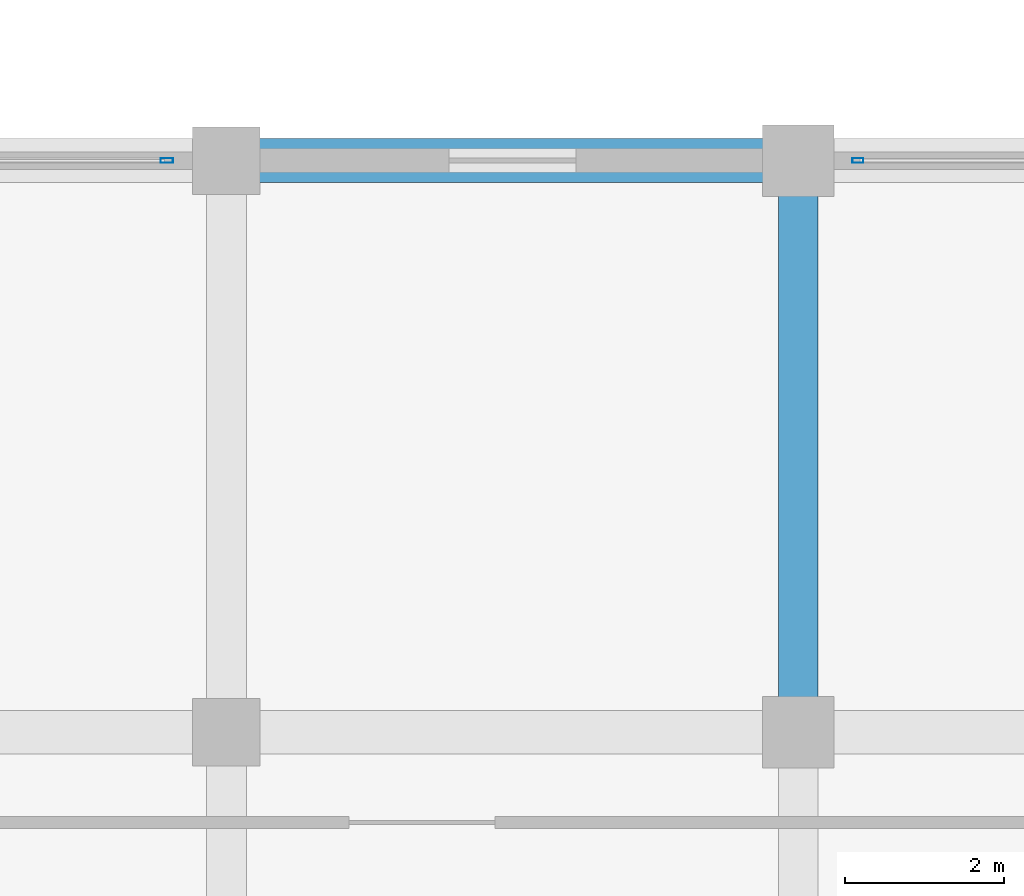
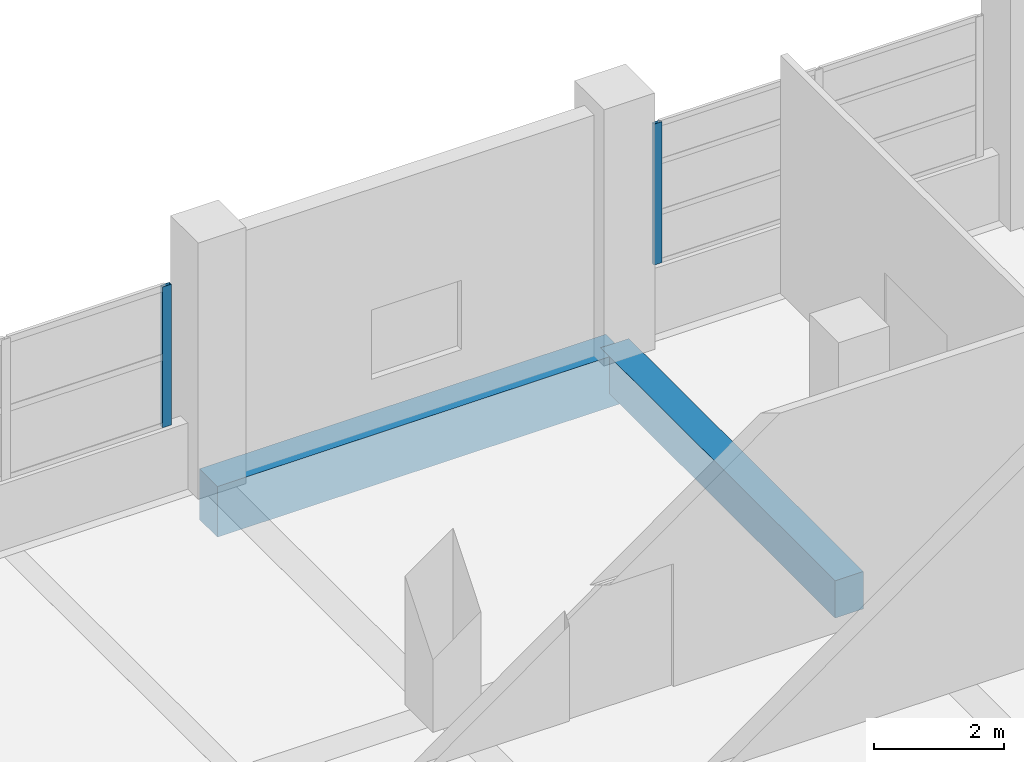
# One storey, part 13 of 181: 2 beams, 2 members, 2 elements without a shape of their own.
"""IFC4 building model written with IfcOpenShell, lengths in metres."""

import ifcopenshell
import ifcopenshell.guid

model = None  # the IFC model being written
_history = None  # IfcOwnerHistory: only IFC2X3 demands one
_inside = {}  # id of a spatial element -> (the spatial element, [elements in it])
_under = {}  # id of a project, library or spatial element -> (it, [spatial elements below it])
_declared = {}  # id of a project -> (the project, [libraries it declares])
_typed = {}  # id of a type object -> (the type object, [elements of that type])
_made_of = {}  # id of a material, layer set ... -> (it, [elements and type objects made of it])


def new_model(schema):
    """Start an empty IFC model of exactly this schema.

    Asked for "IFC4X3", IfcOpenShell would pick the latest addendum, in which some entities
    have other attributes; the version numbers below select the first issue.
    IFC2X3 requires an IfcOwnerHistory on every rooted entity: one is made here for all.
    """
    global model, _history
    if schema == "IFC4X3":
        model = ifcopenshell.file(schema_version=(4, 3, 0, 0))
    else:
        model = ifcopenshell.file(schema=schema)
    _inside.clear()
    _under.clear()
    _declared.clear()
    _typed.clear()
    _made_of.clear()
    _history = None
    if model.schema == "IFC2X3":
        org = make("IfcOrganization", Name="unknown")
        user = make(
            "IfcPersonAndOrganization",
            ThePerson=make("IfcPerson", FamilyName="unknown"),
            TheOrganization=org,
        )
        app = make(
            "IfcApplication",
            ApplicationDeveloper=org,
            Version="unknown",
            ApplicationFullName="unknown",
            ApplicationIdentifier="unknown",
        )
        _history = make(
            "IfcOwnerHistory",
            OwningUser=user,
            OwningApplication=app,
            ChangeAction="ADDED",
            CreationDate=0,
        )
    return model


def make(cls, **values):
    """One entity of the class cls with the attributes given. An attribute that is None is left unset."""
    return model.create_entity(
        cls, **{name: value for name, value in values.items() if value is not None}
    )


def rooted(cls, **values):
    """An entity with a GlobalId (a new one), such as an element, a storey or a relation."""
    return make(cls, GlobalId=ifcopenshell.guid.new(), OwnerHistory=_history, **values)


def si_unit(unit_type, name, prefix=None):
    """IfcSIUnit, for example si_unit("LENGTHUNIT", "METRE", prefix="MILLI")."""
    return make("IfcSIUnit", UnitType=unit_type, Prefix=prefix, Name=name)


def assignment(units):
    """IfcUnitAssignment: the units of a project."""
    return None if units is None else make("IfcUnitAssignment", Units=units)


def point(xyz):
    """IfcCartesianPoint."""
    return None if xyz is None else make("IfcCartesianPoint", Coordinates=xyz)


def direction(xyz):
    """IfcDirection."""
    return None if xyz is None else make("IfcDirection", DirectionRatios=xyz)


def frame(location, z_axis=None, x_axis=None):
    """IfcAxis2Placement3D, a coordinate frame: its origin and axes. An axis left out is left unset."""
    return make(
        "IfcAxis2Placement3D",
        Location=point(location),
        Axis=direction(z_axis),
        RefDirection=direction(x_axis),
    )


def frame_2d(location, x_axis=None):
    """IfcAxis2Placement2D, a coordinate frame in the plane: its origin and x axis."""
    return make(
        "IfcAxis2Placement2D", Location=point(location), RefDirection=direction(x_axis)
    )


def origin():
    """The frame at (0, 0, 0) with its axes left unset."""
    return frame((0.0, 0.0, 0.0))


def origin_2d():
    """The frame at (0, 0) in the plane with its x axis left unset."""
    return frame_2d((0.0, 0.0))


def place(relative_to, where):
    """IfcLocalPlacement: puts the frame where relative to a parent placement (None: the world)."""
    return make(
        "IfcLocalPlacement", PlacementRelTo=relative_to, RelativePlacement=where
    )


def context(
    kind, dimensions, precision=None, world=None, true_north=None, identifier=None
):
    """IfcGeometricRepresentationContext, for example the 3D "Model" context."""
    return make(
        "IfcGeometricRepresentationContext",
        ContextIdentifier=identifier,
        ContextType=kind,
        CoordinateSpaceDimension=dimensions,
        Precision=precision,
        WorldCoordinateSystem=world,
        TrueNorth=true_north,
    )


def subcontext(parent, identifier, kind, view, scale=None):
    """IfcGeometricRepresentationSubContext, for example "Body" below "Model"."""
    return make(
        "IfcGeometricRepresentationSubContext",
        ContextIdentifier=identifier,
        ContextType=kind,
        ParentContext=parent,
        TargetScale=scale,
        TargetView=view,
    )


def project(units=None, contexts=None):
    """IfcProject with its units and contexts."""
    return rooted(
        "IfcProject",
        Name="project",
        RepresentationContexts=contexts,
        UnitsInContext=assignment(units),
    )


def spatial(cls, under=None, at=None, **own):
    """A site, building, storey or space (cls), placed at a placement, below another one or the project."""
    s = rooted(cls, ObjectPlacement=at, **own)
    if under is not None:
        _under.setdefault(under.id(), (under, []))[1].append(s)
    return s


def profile(cls, at=None, kind="AREA", **sizes):
    """A parametric profile (cls). Its sizes go by their IFC names, for example OverallWidth=200.0."""
    return make(cls, ProfileType=kind, Position=at, **sizes)


def rectangle(**sizes):
    """IfcRectangleProfileDef."""
    return profile("IfcRectangleProfileDef", **sizes)


def hollow_rectangle(**sizes):
    """IfcRectangleHollowProfileDef."""
    return profile("IfcRectangleHollowProfileDef", **sizes)


def extrude(swept, where, along, depth):
    """IfcExtrudedAreaSolid: the profile swept, set in the frame where, extruded along a direction by depth."""
    return make(
        "IfcExtrudedAreaSolid",
        SweptArea=swept,
        Position=where,
        ExtrudedDirection=direction(along),
        Depth=depth,
    )


def shape(context_of_items, identifier, shape_type, items):
    """IfcShapeRepresentation: the items that make up one representation, for example the "Body"."""
    return make(
        "IfcShapeRepresentation",
        ContextOfItems=context_of_items,
        RepresentationIdentifier=identifier,
        RepresentationType=shape_type,
        Items=items,
    )


def material(Name=None, Category=None):
    """IfcMaterial."""
    return make("IfcMaterial", Name=Name, Category=Category)


def layer(
    of_material, thickness, ventilated=None, Name=None, Category=None, Priority=None
):
    """IfcMaterialLayer: one layer of a wall or slab, of a material (None: an air gap)."""
    return make(
        "IfcMaterialLayer",
        Material=of_material,
        LayerThickness=thickness,
        IsVentilated=ventilated,
        Name=Name,
        Category=Category,
        Priority=Priority,
    )


def layer_set(layers, Name=None):
    """IfcMaterialLayerSet."""
    return make("IfcMaterialLayerSet", MaterialLayers=layers, LayerSetName=Name)


def material_profile(
    of_material, cross_section, Name=None, Category=None, Priority=None
):
    """IfcMaterialProfile: a cross section and its material."""
    return make(
        "IfcMaterialProfile",
        Name=Name,
        Material=of_material,
        Profile=cross_section,
        Priority=Priority,
        Category=Category,
    )


def profile_set(profiles, Name=None, composite=None):
    """IfcMaterialProfileSet."""
    return make(
        "IfcMaterialProfileSet",
        Name=Name,
        MaterialProfiles=profiles,
        CompositeProfile=composite,
    )


def made_of(thing, what):
    """Note that an element or type object is made of a material, layer set ...; save() writes the relation."""
    if what is not None:
        _made_of.setdefault(what.id(), (what, []))[1].append(thing)
    return thing


def type_object(cls, material=None, **own):
    """A type object (cls), such as IfcWallType, which elements share."""
    return made_of(rooted(cls, **own), material)


def element(
    cls,
    number,
    at=None,
    inside=None,
    cuts=None,
    type_object=None,
    material=None,
    context=None,
    identifier="Body",
    shape_type=None,
    held_by="IfcProductDefinitionShape",
    body=None,
    shapes=None,
    **own,
):
    """One element of the class cls, such as IfcWall. Its Tag is "e" and its number.

    at: its placement. inside: the storey or other place that contains it. cuts: it is an
    opening in that element (IfcRelVoidsElement). A single representation is given by context,
    identifier, shape_type and body (its items); several are given by shapes. held_by: the class
    of the entity that holds the representations. save() writes the other relations.
    """
    e = rooted(cls, Tag="e%d" % number, ObjectPlacement=at, **own)
    if body is not None:
        shapes = [shape(context, identifier, shape_type, body)]
    if shapes is not None:
        e.Representation = make(held_by, Representations=shapes)
    if inside is not None:
        _inside.setdefault(inside.id(), (inside, []))[1].append(e)
    if cuts is not None:
        rooted(
            "IfcRelVoidsElement", RelatingBuildingElement=cuts, RelatedOpeningElement=e
        )
    if type_object is not None:
        _typed.setdefault(type_object.id(), (type_object, []))[1].append(e)
    return made_of(e, material)


def aggregate(whole, parts):
    """IfcRelAggregates: a whole, such as a stair, and the parts it consists of."""
    return rooted("IfcRelAggregates", RelatingObject=whole, RelatedObjects=parts)


def save(model, path):
    """Write the relations noted so far, then the file.

    IfcRelAggregates (storeys below a building ...), IfcRelContainedInSpatialStructure (elements
    in a storey), IfcRelDefinesByType, IfcRelAssociatesMaterial and IfcRelDeclares: one each for
    every whole, place, type object, material and project.
    """
    for whole, parts in _under.values():
        aggregate(whole, parts)
    for where, things in _inside.values():
        rooted(
            "IfcRelContainedInSpatialStructure",
            RelatedElements=things,
            RelatingStructure=where,
        )
    for kind, things in _typed.values():
        rooted("IfcRelDefinesByType", RelatedObjects=things, RelatingType=kind)
    for what, things in _made_of.values():
        rooted("IfcRelAssociatesMaterial", RelatedObjects=things, RelatingMaterial=what)
    for by, libraries in _declared.values():
        rooted("IfcRelDeclares", RelatingContext=by, RelatedDefinitions=libraries)
    model.write(path)


model = new_model("IFC4")

# Units and contexts
model_context = context("Model", 3, precision=1e-05, world=origin(), true_north=direction((0.0, 1.0)))
body_context = subcontext(model_context, "Body", "Model", "MODEL_VIEW")
ifc_project = project(units=[si_unit("LENGTHUNIT", "METRE"), si_unit("AREAUNIT", "SQUARE_METRE"), si_unit("VOLUMEUNIT", "CUBIC_METRE"), si_unit("PLANEANGLEUNIT", "RADIAN"), si_unit("MASSUNIT", "GRAM", prefix="KILO")], contexts=[model_context])

# Site, building, storey
site_placement = place(None, origin())
site = spatial("IfcSite", under=ifc_project, at=site_placement, CompositionType="ELEMENT")
building_placement = place(site_placement, origin())
building = spatial("IfcBuilding", under=site, at=building_placement, Name="Seraya Terrace Polytechnic", CompositionType="ELEMENT")
storey_placement = place(building_placement, frame((0.0, 0.0, 4.800048828125)))
storey = spatial("IfcBuildingStorey", under=building, at=storey_placement, Name="L01", CompositionType="ELEMENT", Elevation=4.800048828125)

# Beams
ifc_material_1 = material(Name="Concrete C40/50", Category="concrete")
ifc_material_profile_1 = material_profile(ifc_material_1, rectangle(XDim=0.550048828125, YDim=0.949951171875, at=origin_2d()), Name="RC 550x950")
ifc_profile_set_1 = profile_set([ifc_material_profile_1], Name="Concrete C40/50")
beam_type_1 = type_object("IfcBeamType", Name="BM-03", PredefinedType="BEAM", material=ifc_profile_set_1)
beam_1_placement = place(storey_placement, frame((50.39990234375, 28.800048828125, -0.47509765625), z_axis=(1.0, 0.0, 0.0), x_axis=(0.0, 1.0, 0.0)))
element("IfcBeam", 1, at=beam_1_placement, inside=storey, type_object=beam_type_1, Name="Beam BM-03 L01 X (50.4..57.6, 28.8)", PredefinedType="BEAM", context=body_context, shape_type="SweptSolid", body=[
    extrude(rectangle(XDim=0.550048828125, YDim=0.949951171875, at=origin_2d()), origin(), (0.0, 0.0, 1.0), 7.2001953125),
])
ifc_material_profile_2 = material_profile(ifc_material_1, rectangle(XDim=0.5, YDim=0.699951171875, at=origin_2d()), Name="RC 500x700")
ifc_profile_set_2 = profile_set([ifc_material_profile_2], Name="Concrete C40/50")
beam_type_2 = type_object("IfcBeamType", Name="BM-07", PredefinedType="BEAM", material=ifc_profile_set_2)
beam_2_placement = place(storey_placement, frame((57.60009765625, 21.60009765625, -0.35009765625), z_axis=(0.0, 1.0, 0.0), x_axis=(-1.0, 0.0, 0.0)))
element("IfcBeam", 2, at=beam_2_placement, inside=storey, type_object=beam_type_2, Name="Beam BM-07 L01 Y (57.6, 21.6..28.8)", PredefinedType="BEAM", context=body_context, shape_type="SweptSolid", body=[
    extrude(rectangle(XDim=0.5, YDim=0.699951171875, at=origin_2d()), origin(), (0.0, 0.0, 1.0), 7.199951171875),
])

# Curtain wall, member
ifc_material_2 = material(Name="Anodised aluminium EN AW-6063 T6", Category="aluminium")
ifc_layer_1 = layer(ifc_material_2, 0.179931640625, Name="CW-02")
ifc_layer_set_1 = layer_set([ifc_layer_1], Name="Anodised aluminium EN AW-6063 T6")
curtain_wall_type_1 = type_object("IfcCurtainWallType", Name="CW-02", PredefinedType="NOTDEFINED", material=ifc_layer_set_1)
curtain_wall_1_placement = place(storey_placement, origin())
curtain_wall_1 = element("IfcCurtainWall", 3, at=curtain_wall_1_placement, inside=storey, type_object=curtain_wall_type_1, Name="Unitised curtain wall CW-02 (CW-L01-038)", PredefinedType="NOTDEFINED")
ifc_material_profile_3 = material_profile(ifc_material_2, hollow_rectangle(XDim=0.06005859375, YDim=0.159912109375, WallThickness=0.00341796875, at=origin_2d()), Name="RHS 160x60x3.5")
ifc_profile_set_3 = profile_set([ifc_material_profile_3], Name="Anodised aluminium EN AW-6063 T6")
member_type_1 = type_object("IfcMemberType", Name="CWM-02", PredefinedType="MULLION", material=ifc_profile_set_3)
member_1_placement = place(storey_placement, frame((49.64990234375, 28.800048828125, 1.239990234375), z_axis=(0.0, 0.0, 1.0), x_axis=(0.0, 1.0, 0.0)))
member_1 = element("IfcMember", 4, at=member_1_placement, type_object=member_type_1, Name="CW-02 mullion 3", PredefinedType="MULLION", context=body_context, shape_type="SweptSolid", body=[
    extrude(hollow_rectangle(XDim=0.06005859375, YDim=0.159912109375, WallThickness=0.00341796875, at=origin_2d()), origin(), (0.0, 0.0, 1.0), 2.639892578125),
])
aggregate(curtain_wall_1, [member_1])

ifc_layer_2 = layer(ifc_material_2, 0.179931640625, Name="CW-03")
ifc_layer_set_2 = layer_set([ifc_layer_2], Name="Anodised aluminium EN AW-6063 T6")
curtain_wall_type_2 = type_object("IfcCurtainWallType", Name="CW-03", PredefinedType="NOTDEFINED", material=ifc_layer_set_2)
curtain_wall_2_placement = place(storey_placement, origin())
curtain_wall_2 = element("IfcCurtainWall", 5, at=curtain_wall_2_placement, inside=storey, type_object=curtain_wall_type_2, Name="Unitised curtain wall CW-03 (CW-L01-039)", PredefinedType="NOTDEFINED")
ifc_material_profile_4 = material_profile(ifc_material_2, hollow_rectangle(XDim=0.06005859375, YDim=0.139892578125, WallThickness=0.00341796875, at=origin_2d()), Name="RHS 140x60x3.5")
ifc_profile_set_4 = profile_set([ifc_material_profile_4], Name="Anodised aluminium EN AW-6063 T6")
member_type_2 = type_object("IfcMemberType", Name="CWM-03", PredefinedType="MULLION", material=ifc_profile_set_4)
member_2_placement = place(storey_placement, frame((58.35009765625, 28.800048828125, 1.239990234375), z_axis=(0.0, 0.0, 1.0), x_axis=(0.0, 1.0, 0.0)))
member_2 = element("IfcMember", 6, at=member_2_placement, type_object=member_type_2, Name="CW-03 mullion 1", PredefinedType="MULLION", context=body_context, shape_type="SweptSolid", body=[
    extrude(hollow_rectangle(XDim=0.06005859375, YDim=0.139892578125, WallThickness=0.00341796875, at=origin_2d()), origin(), (0.0, 0.0, 1.0), 2.639892578125),
])
aggregate(curtain_wall_2, [member_2])

save(model, "model.ifc")
